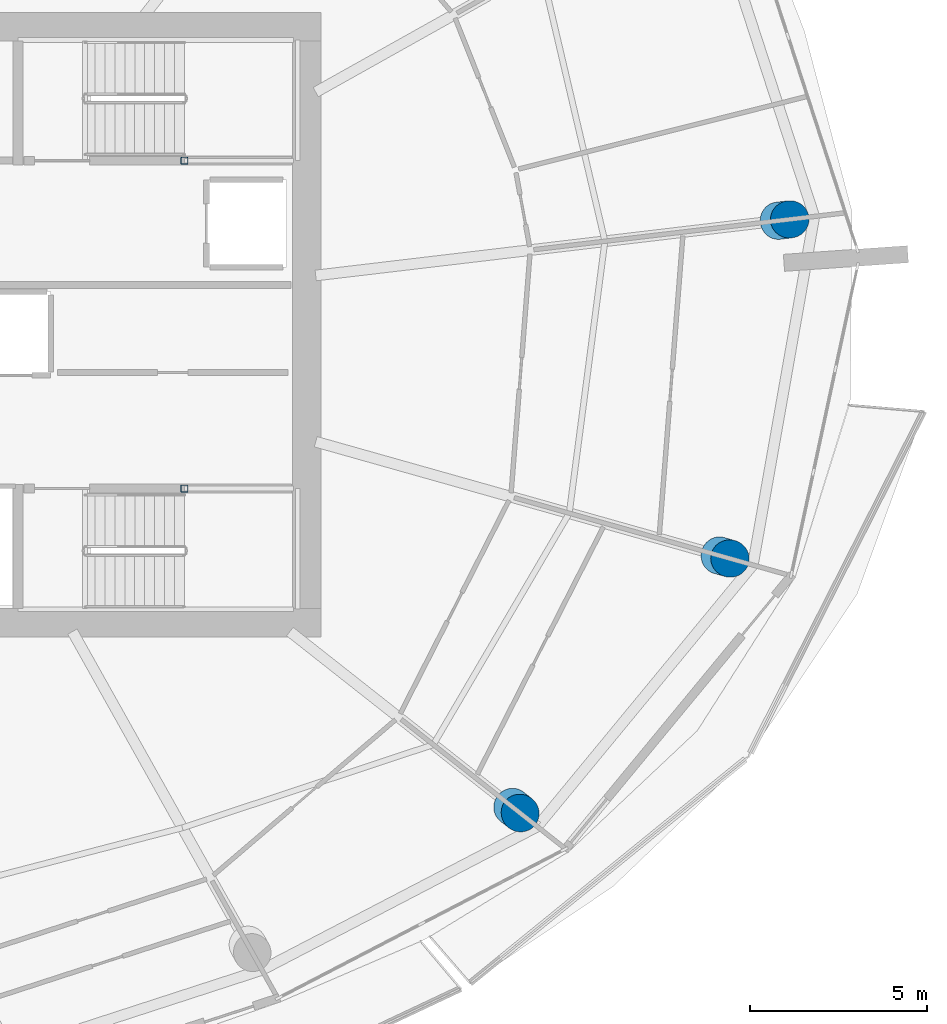
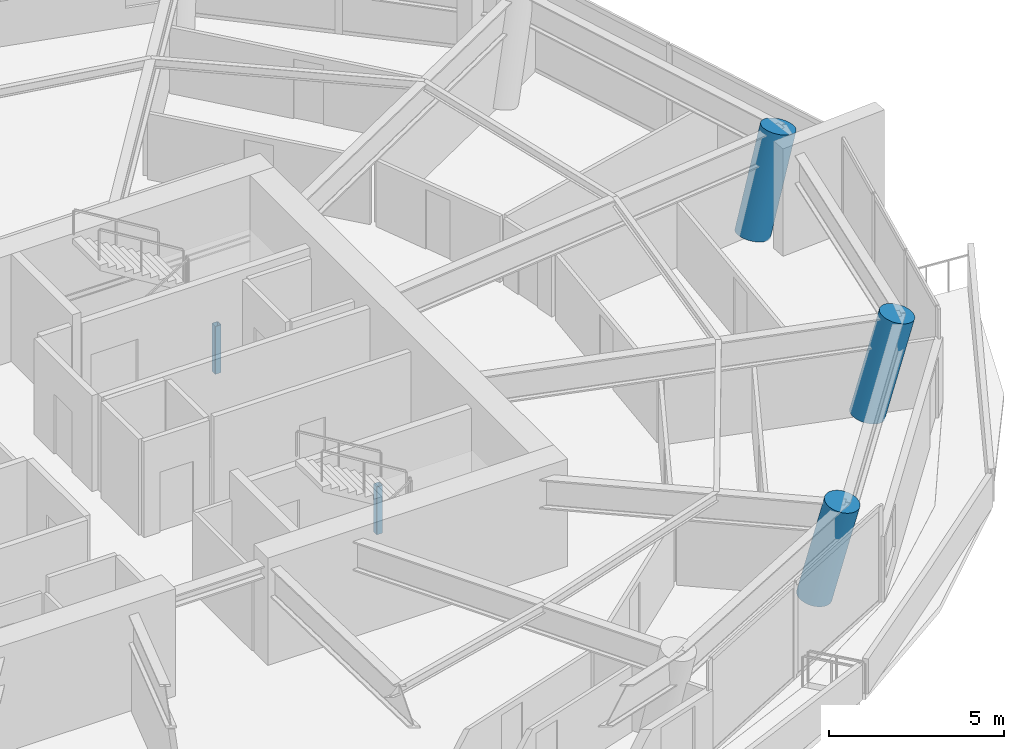
# One storey, part 3 of 19: 5 columns.
"""IFC4 building model written with IfcOpenShell, lengths in metres."""

from ifc_helpers import new_model, si_unit, direction, frame, origin, origin_2d, place, context, subcontext, project, spatial, hollow_rectangle, circle, extrude, material, material_profile, profile_set, type_object, element, save


model = new_model("IFC4")

# Units and contexts
model_context = context("Model", 3, precision=1e-05, world=origin(), true_north=direction((0.0, 1.0)))
body_context = subcontext(model_context, "Body", "Model", "MODEL_VIEW")
ifc_project = project(units=[si_unit("LENGTHUNIT", "METRE"), si_unit("AREAUNIT", "SQUARE_METRE"), si_unit("VOLUMEUNIT", "CUBIC_METRE"), si_unit("PLANEANGLEUNIT", "RADIAN"), si_unit("MASSUNIT", "GRAM", prefix="KILO")], contexts=[model_context])

# Site, building, storey
site_placement = place(None, origin())
site = spatial("IfcSite", under=ifc_project, at=site_placement, CompositionType="ELEMENT")
building_placement = place(site_placement, origin())
building = spatial("IfcBuilding", under=site, at=building_placement, Name="Kazma Halo Residences", CompositionType="ELEMENT")
storey_placement = place(building_placement, frame((0.0, 0.0, 172.800048828125)))
storey = spatial("IfcBuildingStorey", under=building, at=storey_placement, Name="L43", CompositionType="ELEMENT", Elevation=172.800048828125)

# Columns
ifc_material_1 = material(Name="Steel S355", Category="steel")
ifc_material_profile_1 = material_profile(ifc_material_1, hollow_rectangle(XDim=0.199951171875, YDim=0.199951171875, WallThickness=0.010009765625, InnerFilletRadius=0.010009765625, OuterFilletRadius=0.02001953125, at=origin_2d()), Name="SHS200x200x10")
ifc_profile_set_1 = profile_set([ifc_material_profile_1], Name="Steel S355")
column_type_1 = type_object("IfcColumnType", Name="COL-LP-SHS200", PredefinedType="COLUMN", material=ifc_profile_set_1)
for number, where, z_axis, x_axis, name in (
    (1, (56.0, 46.6201171875, 0.0), (0.0, 0.0, 1.0), (1.0, 0.0, 0.0), "L43 ST-02 landing pilaster 1"),
    (2, (56.0, 37.3798828125, 0.0), (0.0, 0.0, 1.0), (1.0, 0.0, 0.0), "L43 ST-03 landing pilaster 1"),
):
    element("IfcColumn", number, at=place(storey_placement, frame(where, z_axis=z_axis, x_axis=x_axis)), inside=storey, type_object=column_type_1, Name=name, PredefinedType="COLUMN", context=body_context, shape_type="SweptSolid", body=[
        extrude(hollow_rectangle(XDim=0.199951171875, YDim=0.199951171875, WallThickness=0.010009765625, InnerFilletRadius=0.010009765625, OuterFilletRadius=0.02001953125, at=origin_2d()), origin(), (0.0, 0.0, 1.0), 1.669921875),
    ])
ifc_material_2 = material(Name="Concrete C80/95", Category="concrete")
ifc_material_profile_2 = material_profile(ifc_material_2, circle(Radius=0.52490234375, at=origin_2d()), Name="CIRC1050")
ifc_profile_set_2 = profile_set([ifc_material_profile_2], Name="Concrete C80/95")
column_type_2 = type_object("IfcColumnType", Name="COL-PERIM-1050", PredefinedType="COLUMN", material=ifc_profile_set_2)
column_1_placement = place(storey_placement, frame((65.234375, 28.41357421875, 0.0), z_axis=(0.184003795843, -0.145034951903, 0.972166377654), x_axis=(0.619036183506, 0.785362466324, 0.0)))
element("IfcColumn", 3, at=column_1_placement, inside=storey, type_object=column_type_2, Name="L43 perimeter ring column P14", PredefinedType="COLUMN", context=body_context, shape_type="SweptSolid", body=[
    extrude(circle(Radius=0.52490234375, at=origin_2d()), origin(), (0.0, 0.0, 1.0), 3.44580078125),
])
column_2_placement = place(storey_placement, frame((71.06982421875, 35.49365234375, 0.0), z_axis=(0.244990006617, -0.069070830404, 0.967062106095), x_axis=(0.271354937393, 0.962479349364, 0.0)))
element("IfcColumn", 4, at=column_2_placement, inside=storey, type_object=column_type_2, Name="L43 perimeter ring column P15", PredefinedType="COLUMN", context=body_context, shape_type="SweptSolid", body=[
    extrude(circle(Radius=0.52490234375, at=origin_2d()), origin(), (0.0, 0.0, 1.0), 3.4638671875),
])
column_3_placement = place(storey_placement, frame((72.733154296875, 44.927490234375, 0.0), z_axis=(0.262003938986, 0.030931508761, 0.964570981173), x_axis=(-0.117243204304, 0.993103232823, 0.0)))
element("IfcColumn", 5, at=column_3_placement, inside=storey, type_object=column_type_2, Name="L43 perimeter ring column P16", PredefinedType="COLUMN", context=body_context, shape_type="SweptSolid", body=[
    extrude(circle(Radius=0.52490234375, at=origin_2d()), origin(), (0.0, 0.0, 1.0), 3.472900390625),
])

save(model, "model.ifc")
